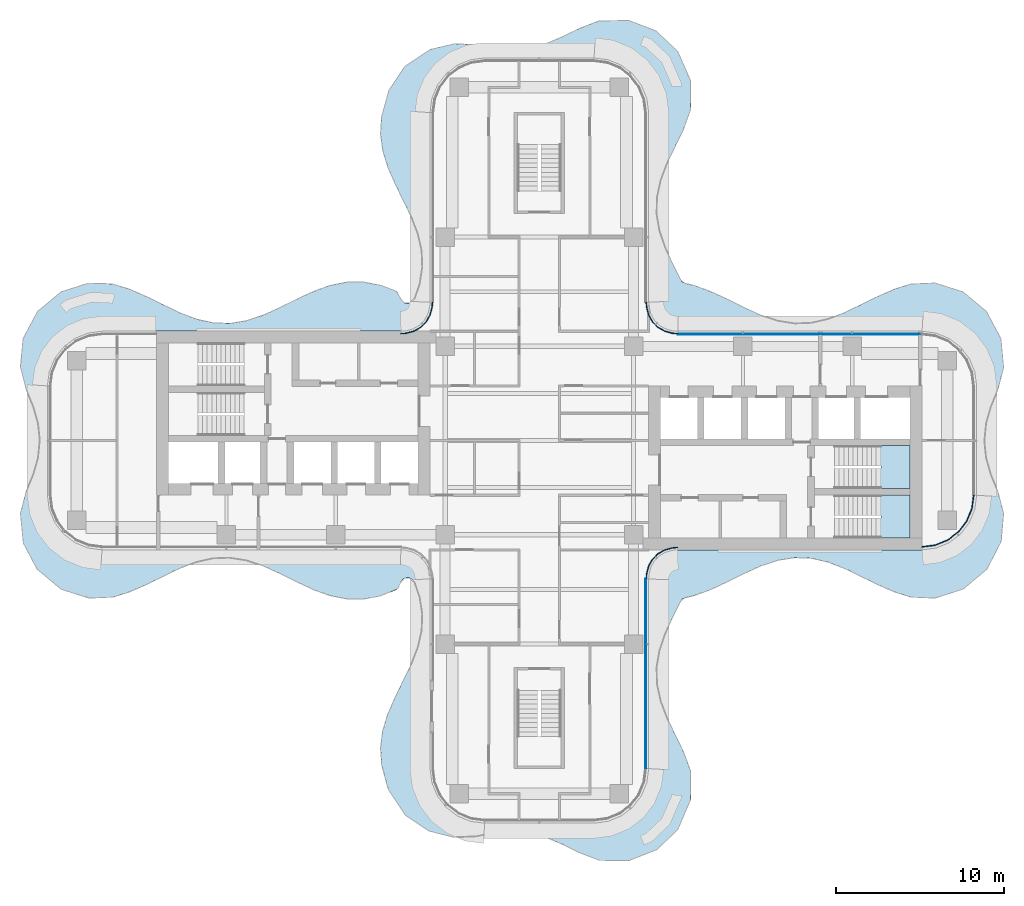
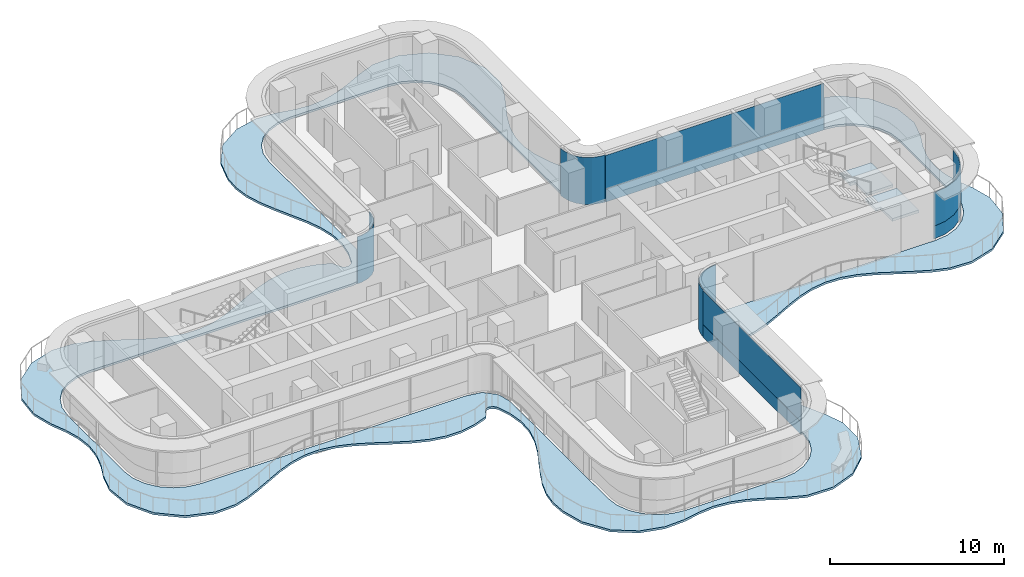
# One storey, part 9 of 16: 9 plates, 3 slabs, 8 elements without a shape of their own.
"""IFC4 building model written with IfcOpenShell, lengths in metres."""

from ifc_helpers import new_model, si_unit, direction, frame, origin, place, context, subcontext, project, spatial, polyline, outline, extrude, source, transform, mapped, material, layer, layer_set, type_object, element, aggregate, save


model = new_model("IFC4")

# Units and contexts
model_context = context("Model", 3, precision=1e-05, world=origin(), true_north=direction((0.0, 1.0)))
body_context = subcontext(model_context, "Body", "Model", "MODEL_VIEW")
ifc_project = project(units=[si_unit("LENGTHUNIT", "METRE"), si_unit("AREAUNIT", "SQUARE_METRE"), si_unit("VOLUMEUNIT", "CUBIC_METRE"), si_unit("PLANEANGLEUNIT", "RADIAN"), si_unit("MASSUNIT", "GRAM", prefix="KILO")], contexts=[model_context])

# Site, building, storey
site_placement = place(None, origin())
site = spatial("IfcSite", under=ifc_project, at=site_placement, CompositionType="ELEMENT")
building_placement = place(site_placement, origin())
building = spatial("IfcBuilding", under=site, at=building_placement, Name="Trellis Farm Tower", CompositionType="ELEMENT")
storey_placement = place(building_placement, frame((0.0, 0.0, 267.5)))
storey = spatial("IfcBuildingStorey", under=building, at=storey_placement, Name="L60", CompositionType="ELEMENT", Elevation=267.5)

# Slab
ifc_material_1 = material(Name="Concrete C40/50", Category="concrete")
ifc_layer_1 = layer(ifc_material_1, 0.14990234375)
ifc_layer_set_1 = layer_set([ifc_layer_1], Name="Balcony slab 150")
slab_type_1 = type_object("IfcSlabType", Name="Balcony slab 150", PredefinedType="FLOOR", material=ifc_layer_set_1)
slab_1_placement = place(storey_placement, frame((0.0, 0.0, -0.14990234375)))
element("IfcSlab", 1, at=slab_1_placement, inside=storey, type_object=slab_type_1, Name="Balcony slab", PredefinedType="FLOOR", context=body_context, shape_type="SweptSolid", body=[
    extrude(outline(polyline([(-8.030517578125, -8.187255859375), (-8.13671875, -8.278076171875), (-8.14990234375, -8.29296875), (-8.2431640625, -8.430908203125), (-8.24853515625, -8.440185546875), (-8.41650390625, -8.785400390625), (-8.45068359375, -8.8310546875), (-8.500732421875, -8.87646484375), (-8.549560546875, -8.906005859375), (-9.405517578125, -9.2216796875), (-9.42822265625, -9.22802734375), (-10.395263671875, -9.4189453125), (-10.42431640625, -9.421630859375), (-11.424560546875, -9.421630859375), (-11.45361328125, -9.4189453125), (-12.420654296875, -9.228271484375), (-12.4423828125, -9.22216796875), (-13.401611328125, -8.877685546875), (-13.414306640625, -8.872314453125), (-14.407958984375, -8.409912109375), (-14.41162109375, -8.407958984375), (-15.4130859375, -7.908203125), (-15.415771484375, -7.906982421875), (-16.418212890625, -7.45458984375), (-16.425537109375, -7.45166015625), (-17.42333984375, -7.121826171875), (-17.435302734375, -7.118896484375), (-18.4248046875, -6.96337890625), (-18.439453125, -6.962646484375), (-19.41943359375, -7.00146484375), (-19.43310546875, -7.003173828125), (-20.40869140625, -7.226806640625), (-20.4189453125, -7.229736328125), (-21.396484375, -7.604248046875), (-21.402587890625, -7.606689453125), (-23.373291015625, -8.567138671875), (-23.37890625, -8.569580078125), (-24.359619140625, -8.999755859375), (-24.375244140625, -9.005615234375), (-25.332763671875, -9.30322265625), (-25.370361328125, -9.309814453125), (-26.707275390625, -9.371826171875), (-26.733642578125, -9.370849609375), (-26.7666015625, -9.366455078125), (-26.791748046875, -9.361083984375), (-28.37451171875, -8.867431640625), (-28.401611328125, -8.856201171875), (-28.434814453125, -8.837890625), (-28.458984375, -8.821533203125), (-29.8173828125, -7.69189453125), (-29.838134765625, -7.6708984375), (-29.862060546875, -7.64111328125), (-29.87841796875, -7.61669921875), (-30.6806640625, -6.089599609375), (-30.691650390625, -6.062255859375), (-30.702392578125, -6.025634765625), (-30.7080078125, -5.99658203125), (-30.852783203125, -4.389892578125), (-30.852783203125, -4.364013671875), (-30.849853515625, -4.330078125), (-30.845458984375, -4.304443359375), (-30.50634765625, -3.021240234375), (-30.5, -3.002197265625), (-30.0908203125, -2.01611328125), (-30.087890625, -2.008056640625), (-29.8095703125, -1.03271484375), (-29.806884765625, -1.01953125), (-29.7041015625, 0.027099609375), (-29.7041015625, 0.042236328125), (-29.806884765625, 1.019775390625), (-29.809326171875, 1.032470703125), (-30.087890625, 2.008056640625), (-30.0908203125, 2.01611328125), (-30.49951171875, 3.001708984375), (-30.50634765625, 3.02197265625), (-30.847412109375, 4.35205078125), (-30.8515625, 4.402587890625), (-30.7080078125, 5.99658203125), (-30.702392578125, 6.025634765625), (-30.691650390625, 6.062255859375), (-30.6806640625, 6.089599609375), (-29.87841796875, 7.61669921875), (-29.862060546875, 7.64111328125), (-29.838134765625, 7.6708984375), (-29.8173828125, 7.69189453125), (-28.458984375, 8.821533203125), (-28.434814453125, 8.837890625), (-28.401611328125, 8.856201171875), (-28.37451171875, 8.867431640625), (-26.8037109375, 9.357177734375), (-26.75390625, 9.364013671875), (-25.414794921875, 9.3173828125), (-25.37646484375, 9.310791015625), (-24.39404296875, 9.012451171875), (-24.377685546875, 9.00634765625), (-23.37890625, 8.569580078125), (-23.373291015625, 8.567138671875), (-21.376708984375, 7.595703125), (-21.37060546875, 7.593017578125), (-20.37109375, 7.21533203125), (-20.36083984375, 7.21240234375), (-19.367919921875, 6.994873046875), (-19.35400390625, 6.9931640625), (-18.37109375, 6.966796875), (-18.356689453125, 6.968017578125), (-17.38037109375, 7.132568359375), (-17.368896484375, 7.135498046875), (-16.39208984375, 7.464599609375), (-16.385009765625, 7.467529296875), (-15.415771484375, 7.906982421875), (-15.4130859375, 7.908203125), (-14.41162109375, 8.407958984375), (-14.407958984375, 8.409912109375), (-13.414306640625, 8.872314453125), (-13.401611328125, 8.877685546875), (-12.4423828125, 9.22216796875), (-12.420654296875, 9.228271484375), (-11.45361328125, 9.4189453125), (-11.424560546875, 9.421630859375), (-10.42431640625, 9.421630859375), (-10.395263671875, 9.4189453125), (-9.42822265625, 9.22802734375), (-9.405517578125, 9.2216796875), (-8.549560546875, 8.906005859375), (-8.500732421875, 8.87646484375), (-8.449951171875, 8.83056640625), (-8.41650390625, 8.786376953125), (-8.21875, 8.39013671875), (-8.212646484375, 8.3798828125), (-8.149658203125, 8.2919921875), (-8.137451171875, 8.27880859375), (-8.030517578125, 8.187255859375), (-7.998779296875, 8.17138671875), (-7.87060546875, 8.142333984375), (-7.835205078125, 8.14306640625), (-7.69921875, 8.179443359375), (-7.6826171875, 8.186279296875), (-7.587890625, 8.238525390625), (-7.56689453125, 8.255859375), (-7.423095703125, 8.4267578125), (-7.40966796875, 8.45068359375), (-7.12158203125, 9.299560546875), (-7.11865234375, 9.31201171875), (-6.96337890625, 10.2998046875), (-6.962646484375, 10.314453125), (-7.00146484375, 11.29443359375), (-7.003173828125, 11.30810546875), (-7.226806640625, 12.28369140625), (-7.229736328125, 12.293701171875), (-7.593017578125, 13.24560546875), (-7.595703125, 13.251708984375), (-8.567138671875, 15.248291015625), (-8.569580078125, 15.253662109375), (-8.999755859375, 16.234619140625), (-9.005615234375, 16.250244140625), (-9.3076171875, 17.221435546875), (-9.31298828125, 17.24609375), (-9.443115234375, 18.21240234375), (-9.444091796875, 18.24169921875), (-9.3828125, 19.233154296875), (-9.377685546875, 19.263427734375), (-8.9619140625, 20.785888671875), (-8.94140625, 20.830322265625), (-7.979736328125, 22.2568359375), (-7.9609375, 22.279541015625), (-7.93408203125, 22.30615234375), (-7.910400390625, 22.3251953125), (-6.522216796875, 23.23046875), (-6.47509765625, 23.25048828125), (-5.0419921875, 23.591064453125), (-4.999267578125, 23.5947265625), (-3.747314453125, 23.527099609375), (-3.725341796875, 23.5244140625), (-2.642822265625, 23.3037109375), (-2.635498046875, 23.302490234375), (-1.6669921875, 23.2041015625), (-1.65234375, 23.2041015625), (-0.666015625, 23.29541015625), (-0.65283203125, 23.298095703125), (0.38330078125, 23.588134765625), (0.39208984375, 23.59130859375), (1.37158203125, 24.00439453125), (1.37548828125, 24.00634765625), (2.362060546875, 24.49169921875), (2.3740234375, 24.4970703125), (3.512939453125, 24.9375), (3.5380859375, 24.94482421875), (3.571533203125, 24.951416015625), (3.597412109375, 24.954345703125), (5.23681640625, 24.98681640625), (5.265380859375, 24.984619140625), (5.30224609375, 24.978271484375), (5.329833984375, 24.970703125), (6.902587890625, 24.372314453125), (6.928955078125, 24.359130859375), (6.961181640625, 24.3388671875), (6.984375, 24.32080078125), (8.187255859375, 23.186767578125), (8.20703125, 23.1640625), (8.2294921875, 23.132080078125), (8.244140625, 23.10595703125), (8.977783203125, 21.43115234375), (8.987060546875, 21.40185546875), (8.995361328125, 21.363037109375), (8.99853515625, 21.33251953125), (9.00146484375, 19.710693359375), (8.9990234375, 19.68408203125), (8.992919921875, 19.64990234375), (8.98583984375, 19.623779296875), (8.568603515625, 18.50341796875), (8.56298828125, 18.489990234375), (7.595703125, 16.501708984375), (7.593017578125, 16.49560546875), (7.21533203125, 15.49609375), (7.21240234375, 15.48583984375), (6.994873046875, 14.492919921875), (6.9931640625, 14.47900390625), (6.966796875, 13.49609375), (6.968017578125, 13.481689453125), (7.132568359375, 12.50537109375), (7.135498046875, 12.493896484375), (7.464599609375, 11.51708984375), (7.467529296875, 11.510009765625), (7.91259765625, 10.52880859375), (7.913818359375, 10.526123046875), (8.40234375, 9.548095703125), (8.4111328125, 9.534423828125), (8.4912109375, 9.435791015625), (8.516357421875, 9.415771484375), (8.630859375, 9.3603515625), (8.64599609375, 9.354736328125), (9.170166015625, 9.229248046875), (9.18603515625, 9.224365234375), (10.16650390625, 8.87158203125), (10.178955078125, 8.8662109375), (11.162353515625, 8.40771484375), (11.166015625, 8.406005859375), (12.1630859375, 7.908203125), (12.165771484375, 7.906982421875), (13.168212890625, 7.45458984375), (13.175537109375, 7.45166015625), (14.17333984375, 7.121826171875), (14.185302734375, 7.118896484375), (15.1748046875, 6.96337890625), (15.189453125, 6.962646484375), (16.16943359375, 7.00146484375), (16.18310546875, 7.003173828125), (17.15869140625, 7.226806640625), (17.1689453125, 7.229736328125), (18.146484375, 7.604248046875), (18.152587890625, 7.606689453125), (20.123291015625, 8.567138671875), (20.12890625, 8.569580078125), (21.109619140625, 8.999755859375), (21.125244140625, 9.005615234375), (22.082763671875, 9.30322265625), (22.120361328125, 9.309814453125), (23.457275390625, 9.371826171875), (23.483642578125, 9.370849609375), (23.5166015625, 9.366455078125), (23.541748046875, 9.361083984375), (25.12451171875, 8.867431640625), (25.151611328125, 8.856201171875), (25.184814453125, 8.837890625), (25.208984375, 8.821533203125), (26.5673828125, 7.69189453125), (26.588134765625, 7.6708984375), (26.612060546875, 7.64111328125), (26.62841796875, 7.61669921875), (27.4306640625, 6.089599609375), (27.441650390625, 6.062255859375), (27.452392578125, 6.025634765625), (27.4580078125, 5.99658203125), (27.602783203125, 4.389892578125), (27.602783203125, 4.364013671875), (27.599853515625, 4.330078125), (27.595458984375, 4.304443359375), (27.25634765625, 3.021240234375), (27.25, 3.002197265625), (26.8408203125, 2.01611328125), (26.837890625, 2.008056640625), (26.5595703125, 1.03271484375), (26.556884765625, 1.01953125), (26.4541015625, -0.027099609375), (26.4541015625, -0.042236328125), (26.556884765625, -1.019775390625), (26.559326171875, -1.032470703125), (26.837890625, -2.008056640625), (26.8408203125, -2.01611328125), (27.25, -3.002197265625), (27.25634765625, -3.021240234375), (27.595458984375, -4.304443359375), (27.599853515625, -4.330078125), (27.602783203125, -4.364013671875), (27.602783203125, -4.389892578125), (27.4580078125, -5.99658203125), (27.452392578125, -6.025634765625), (27.441650390625, -6.062255859375), (27.4306640625, -6.089599609375), (26.62841796875, -7.61669921875), (26.612060546875, -7.64111328125), (26.588134765625, -7.6708984375), (26.5673828125, -7.69189453125), (25.208984375, -8.821533203125), (25.184814453125, -8.837890625), (25.151611328125, -8.856201171875), (25.12451171875, -8.867431640625), (23.541748046875, -9.361083984375), (23.5166015625, -9.366455078125), (23.483642578125, -9.370849609375), (23.457275390625, -9.371826171875), (22.120361328125, -9.309814453125), (22.082763671875, -9.30322265625), (21.125244140625, -9.005615234375), (21.109619140625, -8.999755859375), (20.12890625, -8.569580078125), (20.123291015625, -8.567138671875), (18.152587890625, -7.606689453125), (18.146484375, -7.604248046875), (17.1689453125, -7.229736328125), (17.15869140625, -7.226806640625), (16.18310546875, -7.003173828125), (16.16943359375, -7.00146484375), (15.189453125, -6.962646484375), (15.1748046875, -6.96337890625), (14.185302734375, -7.118896484375), (14.17333984375, -7.121826171875), (13.175537109375, -7.45166015625), (13.168212890625, -7.45458984375), (12.165771484375, -7.906982421875), (12.1630859375, -7.908203125), (11.166015625, -8.406005859375), (11.162353515625, -8.40771484375), (10.178955078125, -8.8662109375), (10.16650390625, -8.87158203125), (9.18603515625, -9.224365234375), (9.170166015625, -9.229248046875), (8.64599609375, -9.354736328125), (8.630859375, -9.3603515625), (8.516357421875, -9.415771484375), (8.4912109375, -9.435791015625), (8.4111328125, -9.534423828125), (8.40234375, -9.548095703125), (7.913818359375, -10.526123046875), (7.91259765625, -10.52880859375), (7.467529296875, -11.510009765625), (7.464599609375, -11.51708984375), (7.135498046875, -12.493896484375), (7.132568359375, -12.50537109375), (6.968017578125, -13.481689453125), (6.966796875, -13.49609375), (6.9931640625, -14.47900390625), (6.994873046875, -14.492919921875), (7.21240234375, -15.48583984375), (7.21533203125, -15.49609375), (7.593017578125, -16.49560546875), (7.595703125, -16.501708984375), (8.56298828125, -18.489990234375), (8.568603515625, -18.50341796875), (8.98583984375, -19.623779296875), (8.992919921875, -19.64990234375), (8.9990234375, -19.68408203125), (9.00146484375, -19.710693359375), (8.99853515625, -21.33251953125), (8.995361328125, -21.363037109375), (8.987060546875, -21.40185546875), (8.977783203125, -21.43115234375), (8.244140625, -23.10595703125), (8.2294921875, -23.132080078125), (8.20703125, -23.1640625), (8.187255859375, -23.186767578125), (6.984375, -24.32080078125), (6.961181640625, -24.3388671875), (6.928955078125, -24.359130859375), (6.902587890625, -24.372314453125), (5.329833984375, -24.970703125), (5.30224609375, -24.978271484375), (5.265380859375, -24.984619140625), (5.23681640625, -24.98681640625), (3.597412109375, -24.954345703125), (3.571533203125, -24.951416015625), (3.5380859375, -24.94482421875), (3.512939453125, -24.9375), (2.3740234375, -24.4970703125), (2.362060546875, -24.49169921875), (1.37548828125, -24.00634765625), (1.37158203125, -24.00439453125), (0.391845703125, -23.591064453125), (0.38330078125, -23.588134765625), (-0.59228515625, -23.3095703125), (-0.60546875, -23.306884765625), (-1.652099609375, -23.2041015625), (-1.6669921875, -23.2041015625), (-2.635498046875, -23.302490234375), (-2.642822265625, -23.3037109375), (-3.72509765625, -23.5244140625), (-3.747802734375, -23.527099609375), (-5.049072265625, -23.59033203125), (-5.0927734375, -23.5859375), (-6.5302734375, -23.22705078125), (-6.57666015625, -23.20654296875), (-7.910888671875, -22.3251953125), (-7.933837890625, -22.306396484375), (-7.960693359375, -22.27978515625), (-7.97998046875, -22.256591796875), (-8.96533203125, -20.7783203125), (-8.985595703125, -20.734130859375), (-9.372314453125, -19.296875), (-9.377197265625, -19.26806640625), (-9.445068359375, -18.27587890625), (-9.444091796875, -18.24658203125), (-9.319091796875, -17.27490234375), (-9.313720703125, -17.25), (-9.012451171875, -16.268798828125), (-9.006591796875, -16.252685546875), (-8.569580078125, -15.25390625), (-8.567138671875, -15.248291015625), (-7.595703125, -13.251708984375), (-7.593017578125, -13.24560546875), (-7.229736328125, -12.293701171875), (-7.226806640625, -12.28369140625), (-7.003173828125, -11.30810546875), (-7.00146484375, -11.29443359375), (-6.962646484375, -10.314453125), (-6.96337890625, -10.2998046875), (-7.11865234375, -9.31201171875), (-7.12158203125, -9.299560546875), (-7.40966796875, -8.45068359375), (-7.423095703125, -8.4267578125), (-7.56689453125, -8.255859375), (-7.587890625, -8.238525390625), (-7.6826171875, -8.186279296875), (-7.69921875, -8.179443359375), (-7.835205078125, -8.14306640625), (-7.87060546875, -8.142333984375), (-7.998779296875, -8.17138671875), (-8.030517578125, -8.187255859375)]), holes=[polyline([(-7.40673828125, -6.7138671875), (-6.794921875, -7.27783203125), (-6.767578125, -7.311279296875), (-6.739990234375, -7.35791015625), (-6.723388671875, -7.397705078125), (-6.510009765625, -8.24072265625), (-6.50537109375, -8.27734375), (-6.50048828125, -17.9912109375), (-6.50048828125, -19.5), (-6.389892578125, -20.34130859375), (-6.065185546875, -21.125244140625), (-5.548583984375, -21.798583984375), (-4.875244140625, -22.315185546875), (-4.09130859375, -22.639892578125), (-3.25, -22.75048828125), (3.25, -22.75048828125), (4.09130859375, -22.639892578125), (4.875244140625, -22.315185546875), (5.548583984375, -21.798583984375), (6.065185546875, -21.125244140625), (6.389892578125, -20.34130859375), (6.50048828125, -19.5), (6.50048828125, -14.017822265625), (6.50146484375, -8.5390625), (6.50244140625, -8.5205078125), (6.61669921875, -7.6123046875), (6.629638671875, -7.567138671875), (6.6416015625, -7.5419921875), (6.66015625, -7.51220703125), (7.20361328125, -6.83349609375), (7.235595703125, -6.8037109375), (7.240478515625, -6.80029296875), (7.281982421875, -6.7802734375), (8.177734375, -6.510009765625), (8.220947265625, -6.503662109375), (19.881591796875, -6.50048828125), (22.75, -6.50048828125), (23.59130859375, -6.389892578125), (24.375244140625, -6.065185546875), (25.048583984375, -5.548583984375), (25.565185546875, -4.875244140625), (25.889892578125, -4.09130859375), (26.00048828125, -3.25), (26.00048828125, 3.25), (25.889892578125, 4.09130859375), (25.565185546875, 4.875244140625), (25.048583984375, 5.548583984375), (24.375244140625, 6.065185546875), (23.59130859375, 6.389892578125), (22.75, 6.50048828125), (19.881591796875, 6.50048828125), (8.220947265625, 6.503662109375), (8.177734375, 6.510009765625), (7.306640625, 6.772705078125), (7.265380859375, 6.79248046875), (7.22021484375, 6.8232421875), (7.1875, 6.853515625), (6.66650390625, 7.50390625), (6.6455078125, 7.539306640625), (6.62548828125, 7.5869140625), (6.61474609375, 7.626708984375), (6.50244140625, 8.5205078125), (6.50146484375, 8.5390625), (6.50048828125, 14.017822265625), (6.50048828125, 19.5), (6.389892578125, 20.34130859375), (6.065185546875, 21.125244140625), (5.548583984375, 21.798583984375), (4.875244140625, 22.315185546875), (4.09130859375, 22.639892578125), (3.25, 22.75048828125), (-3.25, 22.75048828125), (-4.09130859375, 22.639892578125), (-4.875244140625, 22.315185546875), (-5.548583984375, 21.798583984375), (-6.065185546875, 21.125244140625), (-6.389892578125, 20.34130859375), (-6.50048828125, 19.5), (-6.50048828125, 8.31494140625), (-6.50439453125, 8.28369140625), (-6.723388671875, 7.398193359375), (-6.740234375, 7.357421875), (-6.767578125, 7.311279296875), (-6.794921875, 7.27783203125), (-7.40673828125, 6.7138671875), (-7.4423828125, 6.689453125), (-7.490478515625, 6.665771484375), (-7.531982421875, 6.652587890625), (-8.435791015625, 6.501953125), (-8.453125, 6.50048828125), (-26.0, 6.50048828125), (-26.84130859375, 6.389892578125), (-27.625244140625, 6.065185546875), (-28.298583984375, 5.548583984375), (-28.815185546875, 4.875244140625), (-29.139892578125, 4.09130859375), (-29.25048828125, 3.25), (-29.25048828125, -3.25), (-29.139892578125, -4.09130859375), (-28.815185546875, -4.875244140625), (-28.298583984375, -5.548583984375), (-27.625244140625, -6.065185546875), (-26.84130859375, -6.389892578125), (-26.0, -6.50048828125), (-8.453125, -6.50048828125), (-8.435791015625, -6.501953125), (-7.531982421875, -6.652587890625), (-7.490478515625, -6.665771484375), (-7.4423828125, -6.689453125), (-7.40673828125, -6.7138671875)])]), origin(), (0.0, 0.0, 1.0), 0.14990234375),
])

# Curtain wall, plate
ifc_material_2 = material(Name="Aluminium and glass curtain wall", Category="aluminium")
ifc_layer_2 = layer(ifc_material_2, 0.18994140625)
ifc_layer_set_2 = layer_set([ifc_layer_2], Name="RIBBON CURTAIN WALL CW1")
curtain_wall_type_1 = type_object("IfcCurtainWallType", Name="RIBBON CURTAIN WALL CW1", PredefinedType="NOTDEFINED", material=ifc_layer_set_2)
placement_1 = place(storey_placement, origin())
curtain_wall_1 = element("IfcCurtainWall", 2, at=placement_1, inside=storey, type_object=curtain_wall_type_1, Name="CW1 005", PredefinedType="NOTDEFINED")
ifc_material_3 = material(Name="Clear insulated glass", Category="glass")
ifc_layer_3 = layer(ifc_material_3, 0.0400390625)
ifc_layer_set_3 = layer_set([ifc_layer_3], Name="CW1 GLASS PANEL 40")
plate_type_1 = type_object("IfcPlateType", Name="CW1 GLASS PANEL 40", PredefinedType="CURTAIN_PANEL", material=ifc_layer_set_3)
placement_2 = place(storey_placement, frame((0.0, 0.0, 0.89990234375)))
plate_1 = element("IfcPlate", 3, at=placement_2, type_object=plate_type_1, Name="PL1 005", PredefinedType="CURTAIN_PANEL", context=body_context, shape_type="SweptSolid", body=[
    extrude(outline(polyline([(6.35009765625, -19.490234375), (6.35009765625, -8.2265625), (6.31005859375, -8.22509765625), (6.31005859375, -19.487548828125), (6.35009765625, -19.490234375)])), origin(), (0.0, 0.0, 1.0), 2.3701171875),
])

curtain_wall_2 = element("IfcCurtainWall", 4, at=placement_1, inside=storey, type_object=curtain_wall_type_1, Name="CW1 006", PredefinedType="NOTDEFINED")
plate_2 = element("IfcPlate", 5, at=placement_2, type_object=plate_type_1, Name="PL1 006", PredefinedType="CURTAIN_PANEL", context=body_context, shape_type="SweptSolid", body=[
    extrude(outline(polyline([(22.740234375, -6.35009765625), (23.552001953125, -6.2431640625), (24.29931640625, -5.93359375), (24.941162109375, -5.441162109375), (25.43359375, -4.79931640625), (25.7431640625, -4.052001953125), (25.85009765625, -3.240234375), (25.81005859375, -3.237548828125), (25.7041015625, -4.04150390625), (25.398681640625, -4.779296875), (24.91259765625, -5.41259765625), (24.279296875, -5.898681640625), (23.54150390625, -6.2041015625), (22.737548828125, -6.31005859375), (22.740234375, -6.35009765625)])), origin(), (0.0, 0.0, 1.0), 2.3701171875),
])

curtain_wall_3 = element("IfcCurtainWall", 6, at=placement_1, inside=storey, type_object=curtain_wall_type_1, Name="CW1 008", PredefinedType="NOTDEFINED")
plate_3 = element("IfcPlate", 7, at=placement_2, type_object=plate_type_1, Name="PL1 008", PredefinedType="CURTAIN_PANEL", context=body_context, shape_type="SweptSolid", body=[
    extrude(outline(polyline([(22.740234375, 6.35009765625), (8.2265625, 6.35009765625), (8.22509765625, 6.31005859375), (22.737548828125, 6.31005859375), (22.740234375, 6.35009765625)])), origin(), (0.0, 0.0, 1.0), 2.3701171875),
])

# Stair, slab
ifc_material_4 = material(Name="Concrete C50/60", Category="concrete")
stair_type = type_object("IfcStairType", Name="CORE EXIT STAIR 22 RISERS 177 MM", PredefinedType="HALF_TURN_STAIR", material=ifc_material_4)
stair_1 = element("IfcStair", 8, at=placement_1, inside=storey, type_object=stair_type, Name="Exit stair E1", PredefinedType="HALF_TURN_STAIR")
ifc_layer_4 = layer(ifc_material_4, 0.18994140625)
ifc_layer_set_4 = layer_set([ifc_layer_4], Name="CORE STAIR LANDING 190 CONCRETE C50/60")
slab_type_2 = type_object("IfcSlabType", Name="CORE STAIR LANDING 190 CONCRETE C50/60", PredefinedType="LANDING", material=ifc_layer_set_4)
shared_shape_1 = source(origin(), body_context, "Body", "SweptSolid", [
    extrude(outline(polyline([(20.2900390625, -5.800048828125), (20.2900390625, -4.60009765625), (20.300048828125, -4.60009765625), (20.300048828125, -4.449951171875), (19.971923828125, -4.449951171875), (19.971923828125, -3.25), (20.300048828125, -3.25), (22.050048828125, -3.25), (22.050048828125, -5.800048828125), (20.300048828125, -5.800048828125), (20.2900390625, -5.800048828125)])), origin(), (0.0, 0.0, 1.0), 0.18994140625),
])
placement_3 = place(storey_placement, frame((0.0, 0.0, 1.760009765625)))
slab_2 = element("IfcSlab", 9, at=placement_3, type_object=slab_type_2, Name="STE1 landing 1", PredefinedType="LANDING", context=body_context, shape_type="MappedRepresentation", body=[
    mapped(shared_shape_1, transform((0.0, 0.0, 0.0))),
])
aggregate(stair_1, [slab_2])

stair_2 = element("IfcStair", 10, at=placement_1, inside=storey, type_object=stair_type, Name="Exit stair E2", PredefinedType="HALF_TURN_STAIR")
shared_shape_2 = source(origin(), body_context, "Body", "SweptSolid", [
    extrude(outline(polyline([(20.2900390625, -2.85009765625), (20.2900390625, -1.64990234375), (20.300048828125, -1.64990234375), (20.300048828125, -1.5), (19.971923828125, -1.5), (19.971923828125, -0.300048828125), (20.300048828125, -0.300048828125), (22.050048828125, -0.300048828125), (22.050048828125, -2.85009765625), (20.300048828125, -2.85009765625), (20.2900390625, -2.85009765625)])), origin(), (0.0, 0.0, 1.0), 0.18994140625),
])
slab_3 = element("IfcSlab", 11, at=placement_3, type_object=slab_type_2, Name="STE2 landing 1", PredefinedType="LANDING", context=body_context, shape_type="MappedRepresentation", body=[
    mapped(shared_shape_2, transform((0.0, 0.0, 0.0))),
])
aggregate(stair_2, [slab_3])

# Plate
ifc_material_5 = material(Name="Sandstone faced insulated panel", Category="masonry")
ifc_layer_5 = layer(ifc_material_5, 0.050048828125)
ifc_layer_set_5 = layer_set([ifc_layer_5], Name="CW1 STONE SPANDREL PANEL 50")
plate_type_2 = type_object("IfcPlateType", Name="CW1 STONE SPANDREL PANEL 50", PredefinedType="CURTAIN_PANEL", material=ifc_layer_set_5)
shared_shape_3 = source(origin(), body_context, "Body", "SweptSolid", [
    extrude(outline(polyline([(22.740234375, -6.35009765625), (23.552001953125, -6.2431640625), (24.29931640625, -5.93359375), (24.941162109375, -5.441162109375), (25.43359375, -4.79931640625), (25.7431640625, -4.052001953125), (25.85009765625, -3.240234375), (25.800048828125, -3.23681640625), (25.6943359375, -4.0390625), (25.389892578125, -4.774169921875), (24.905517578125, -5.405517578125), (24.274169921875, -5.889892578125), (23.5390625, -6.1943359375), (22.73681640625, -6.300048828125), (22.740234375, -6.35009765625)])), origin(), (0.0, 0.0, 1.0), 0.89990234375),
])
plate_4 = element("IfcPlate", 12, at=placement_1, type_object=plate_type_2, Name="PS1 006", PredefinedType="CURTAIN_PANEL", context=body_context, shape_type="MappedRepresentation", body=[
    mapped(shared_shape_3, transform((0.0, 0.0, 0.0))),
])

aggregate(curtain_wall_2, [plate_2, plate_4])

shared_shape_4 = source(origin(), body_context, "Body", "SweptSolid", [
    extrude(outline(polyline([(22.740234375, 6.35009765625), (8.2265625, 6.35009765625), (8.224853515625, 6.300048828125), (22.73681640625, 6.300048828125), (22.740234375, 6.35009765625)])), origin(), (0.0, 0.0, 1.0), 0.89990234375),
])
plate_5 = element("IfcPlate", 13, at=placement_1, type_object=plate_type_2, Name="PS1 008", PredefinedType="CURTAIN_PANEL", context=body_context, shape_type="MappedRepresentation", body=[
    mapped(shared_shape_4, transform((0.0, 0.0, 0.0))),
])

aggregate(curtain_wall_3, [plate_3, plate_5])

shared_shape_5 = source(origin(), body_context, "Body", "SweptSolid", [
    extrude(outline(polyline([(6.35009765625, -19.490234375), (6.35009765625, -8.2265625), (6.300048828125, -8.224853515625), (6.300048828125, -19.48681640625), (6.35009765625, -19.490234375)])), origin(), (0.0, 0.0, 1.0), 0.89990234375),
])
plate_6 = element("IfcPlate", 14, at=placement_1, type_object=plate_type_2, Name="PS1 005", PredefinedType="CURTAIN_PANEL", context=body_context, shape_type="MappedRepresentation", body=[
    mapped(shared_shape_5, transform((0.0, 0.0, 0.0))),
])

aggregate(curtain_wall_1, [plate_1, plate_6])

# Curtain wall, plate
ifc_layer_6 = layer(ifc_material_2, 0.166015625)
ifc_layer_set_6 = layer_set([ifc_layer_6], Name="WINTER GARDEN CURTAIN WALL CW3")
curtain_wall_type_2 = type_object("IfcCurtainWallType", Name="WINTER GARDEN CURTAIN WALL CW3", PredefinedType="NOTDEFINED", material=ifc_layer_set_6)
curtain_wall_4 = element("IfcCurtainWall", 15, at=placement_1, inside=storey, type_object=curtain_wall_type_2, Name="CW3 002", PredefinedType="NOTDEFINED")
ifc_layer_7 = layer(ifc_material_3, 0.0458984375)
ifc_layer_set_7 = layer_set([ifc_layer_7], Name="CW3 GLASS PANEL 46")
plate_type_3 = type_object("IfcPlateType", Name="CW3 GLASS PANEL 46", PredefinedType="CURTAIN_PANEL", material=ifc_layer_set_7)
shared_shape_6 = source(origin(), body_context, "Body", "SweptSolid", [
    extrude(outline(polyline([(6.3798828125, -8.2275390625), (6.394287109375, -8.0078125), (6.40966796875, -7.89208984375), (6.52490234375, -7.462158203125), (6.7509765625, -7.070556640625), (7.070556640625, -6.7509765625), (7.462158203125, -6.52490234375), (7.89208984375, -6.40966796875), (8.0078125, -6.394287109375), (8.2275390625, -6.3798828125), (8.22607421875, -6.333984375), (8.003173828125, -6.3486328125), (7.883056640625, -6.364501953125), (7.4443359375, -6.48193359375), (7.04248046875, -6.714111328125), (6.714111328125, -7.04248046875), (6.48193359375, -7.4443359375), (6.364501953125, -7.883056640625), (6.3486328125, -8.003173828125), (6.333984375, -8.22607421875), (6.3798828125, -8.2275390625)])), origin(), (0.0, 0.0, 1.0), 3.300048828125),
])
plate_7 = element("IfcPlate", 16, at=placement_1, type_object=plate_type_3, Name="PL3 002", PredefinedType="CURTAIN_PANEL", context=body_context, shape_type="MappedRepresentation", body=[
    mapped(shared_shape_6, transform((0.0, 0.0, 0.0))),
])
aggregate(curtain_wall_4, [plate_7])

curtain_wall_5 = element("IfcCurtainWall", 17, at=placement_1, inside=storey, type_object=curtain_wall_type_2, Name="CW3 003", PredefinedType="NOTDEFINED")
shared_shape_7 = source(origin(), body_context, "Body", "SweptSolid", [
    extrude(outline(polyline([(8.2275390625, 6.3798828125), (8.0078125, 6.394287109375), (7.89208984375, 6.40966796875), (7.462158203125, 6.52490234375), (7.070556640625, 6.7509765625), (6.7509765625, 7.070556640625), (6.52490234375, 7.462158203125), (6.40966796875, 7.89208984375), (6.394287109375, 8.0078125), (6.3798828125, 8.2275390625), (6.333984375, 8.22607421875), (6.3486328125, 8.003173828125), (6.364501953125, 7.883056640625), (6.48193359375, 7.4443359375), (6.714111328125, 7.04248046875), (7.04248046875, 6.714111328125), (7.4443359375, 6.48193359375), (7.883056640625, 6.364501953125), (8.003173828125, 6.3486328125), (8.22607421875, 6.333984375), (8.2275390625, 6.3798828125)])), origin(), (0.0, 0.0, 1.0), 3.300048828125),
])
plate_8 = element("IfcPlate", 18, at=placement_1, type_object=plate_type_3, Name="PL3 003", PredefinedType="CURTAIN_PANEL", context=body_context, shape_type="MappedRepresentation", body=[
    mapped(shared_shape_7, transform((0.0, 0.0, 0.0))),
])
aggregate(curtain_wall_5, [plate_8])

curtain_wall_6 = element("IfcCurtainWall", 19, at=placement_1, inside=storey, type_object=curtain_wall_type_2, Name="CW3 004", PredefinedType="NOTDEFINED")
shared_shape_8 = source(origin(), body_context, "Body", "SweptSolid", [
    extrude(outline(polyline([(-6.3798828125, 8.2275390625), (-6.394287109375, 8.0078125), (-6.40966796875, 7.89208984375), (-6.52490234375, 7.462158203125), (-6.7509765625, 7.070556640625), (-7.070556640625, 6.7509765625), (-7.462158203125, 6.52490234375), (-7.89208984375, 6.40966796875), (-8.0078125, 6.394287109375), (-8.2275390625, 6.3798828125), (-8.22607421875, 6.333984375), (-8.003173828125, 6.3486328125), (-7.883056640625, 6.364501953125), (-7.4443359375, 6.48193359375), (-7.04248046875, 6.714111328125), (-6.714111328125, 7.04248046875), (-6.48193359375, 7.4443359375), (-6.364501953125, 7.883056640625), (-6.3486328125, 8.003173828125), (-6.333984375, 8.22607421875), (-6.3798828125, 8.2275390625)])), origin(), (0.0, 0.0, 1.0), 3.300048828125),
])
plate_9 = element("IfcPlate", 20, at=placement_1, type_object=plate_type_3, Name="PL3 004", PredefinedType="CURTAIN_PANEL", context=body_context, shape_type="MappedRepresentation", body=[
    mapped(shared_shape_8, transform((0.0, 0.0, 0.0))),
])
aggregate(curtain_wall_6, [plate_9])

save(model, "model.ifc")
